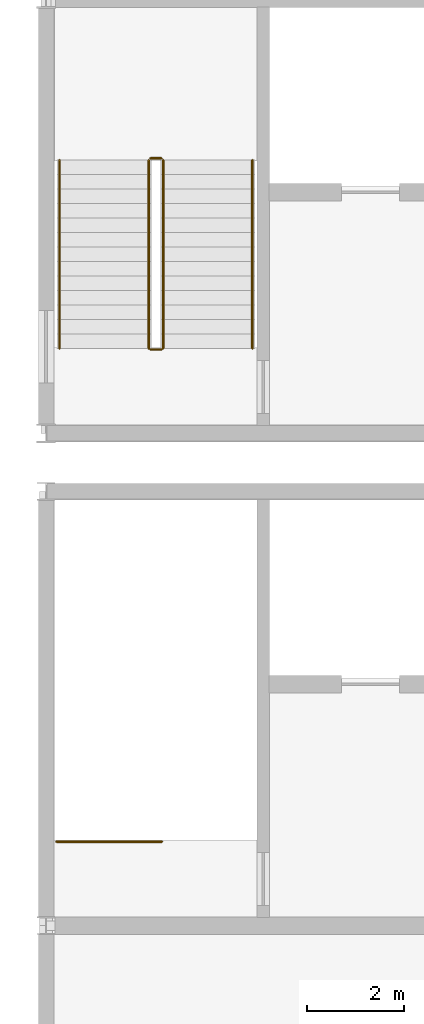
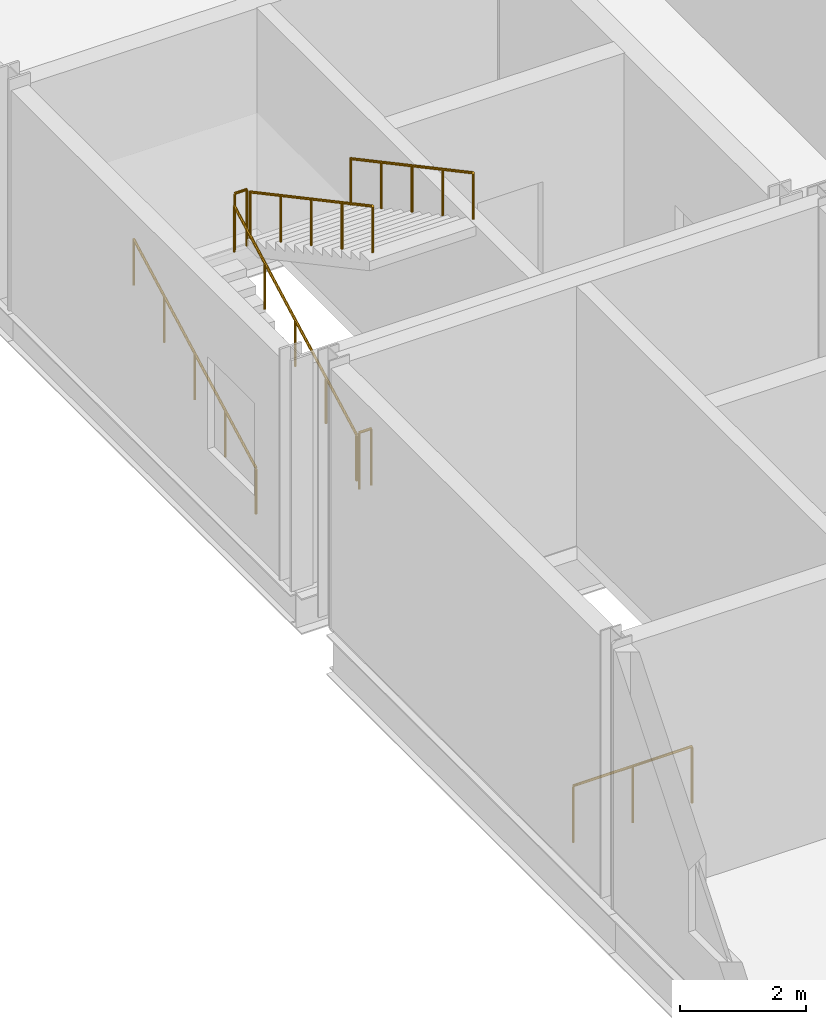
# One storey, part 127 of 134: 7 railings.
"""IFC4 building model written with IfcOpenShell, lengths in metres."""

from ifc_helpers import new_model, si_unit, direction, frame, origin, origin_2d, place, context, subcontext, project, spatial, circle, extrude, material, type_object, element, save


model = new_model("IFC4")

# Units and contexts
model_context = context("Model", 3, precision=1e-05, world=origin(), true_north=direction((0.0, 1.0)))
body_context = subcontext(model_context, "Body", "Model", "MODEL_VIEW")
ifc_project = project(units=[si_unit("LENGTHUNIT", "METRE"), si_unit("AREAUNIT", "SQUARE_METRE"), si_unit("VOLUMEUNIT", "CUBIC_METRE"), si_unit("PLANEANGLEUNIT", "RADIAN"), si_unit("MASSUNIT", "GRAM", prefix="KILO")], contexts=[model_context])

# Site, building, storey
site_placement = place(None, origin())
site = spatial("IfcSite", under=ifc_project, at=site_placement, CompositionType="ELEMENT")
building_placement = place(site_placement, origin())
building = spatial("IfcBuilding", under=site, at=building_placement, Name="Cazmaro Siding Exhibition Halls", CompositionType="ELEMENT")
storey_placement = place(building_placement, frame((0.0, 0.0, 12.0)))
storey = spatial("IfcBuildingStorey", under=building, at=storey_placement, Name="L02", CompositionType="ELEMENT", Elevation=12.0)

# Railings
ifc_material_1 = material(Name="Painted Steel Stairwell Guardrail", Category="steel")
railing_type_1 = type_object("IfcRailingType", Name="RL-GRD-01", PredefinedType="GUARDRAIL", material=ifc_material_1)
railing_1_placement = place(storey_placement, frame((0.215087890625, 46.139892578125, 0.0)))
element("IfcRailing", 1, at=railing_1_placement, inside=storey, type_object=railing_type_1, Name="Core C6 L02 Top Stairwell Guard RL-GRD-01 RL-SG024", PredefinedType="GUARDRAIL", context=body_context, shape_type="SweptSolid", body=[
    extrude(circle(Radius=0.02392578125, at=origin_2d()), frame((0.0, 0.0, 1.09619140625), z_axis=(1.0, 0.0, 0.0), x_axis=(0.0, 1.0, 0.0)), (0.0, 0.0, 1.0), 2.184814453125),
    extrude(circle(Radius=0.02099609375, at=origin_2d()), origin(), (0.0, 0.0, 1.0), 1.072021484375),
    extrude(circle(Radius=0.02099609375, at=origin_2d()), frame((1.09228515625, 0.0, 0.0)), (0.0, 0.0, 1.0), 1.072021484375),
    extrude(circle(Radius=0.02099609375, at=origin_2d()), frame((2.184814453125, 0.0, 0.0)), (0.0, 0.0, 1.0), 1.072021484375),
])
for number, where, name in (
    (2, (2.1650390625, 56.340087890625, 0.0), "Core C7 L02 Landing Slot Guard RL-GRD-01 RL-SG028"),
    (3, (2.1650390625, 60.300048828125, 2.25), "ST-15 Mid-Landing Slot Guard RL-GRD-01 RL-SG029"),
):
    element("IfcRailing", number, at=place(storey_placement, frame(where)), inside=storey, type_object=railing_type_1, Name=name, PredefinedType="GUARDRAIL", context=body_context, shape_type="SweptSolid", body=[
        extrude(circle(Radius=0.02392578125, at=origin_2d()), frame((0.0, 0.0, 1.09619140625), z_axis=(1.0, 0.0, 0.0), x_axis=(0.0, 1.0, 0.0)), (0.0, 0.0, 1.0), 0.224853515625),
        extrude(circle(Radius=0.02099609375, at=origin_2d()), origin(), (0.0, 0.0, 1.0), 1.072021484375),
        extrude(circle(Radius=0.02099609375, at=origin_2d()), frame((0.224853515625, 0.0, 0.0)), (0.0, 0.0, 1.0), 1.072021484375),
    ])
ifc_material_2 = material(Name="Brushed Stainless Steel Tubular Handrail", Category="steel")
railing_type_2 = type_object("IfcRailingType", Name="RL-HR-01", PredefinedType="HANDRAIL", material=ifc_material_2)
railing_2_placement = place(storey_placement, frame((0.280029296875, 56.360107421875, 0.160888671875)))
element("IfcRailing", 4, at=railing_2_placement, inside=storey, type_object=railing_type_2, Name="ST-15 Flight 1 Handrail 1", PredefinedType="HANDRAIL", context=body_context, shape_type="SweptSolid", body=[
    extrude(circle(Radius=0.02392578125, at=origin_2d()), frame((0.0, 0.0, 0.89599609375), z_axis=(0.0, 0.881491454809, 0.472199973632), x_axis=(-1.0, 0.0, 0.0)), (0.0, 0.0, 1.0), 4.42431640625),
    extrude(circle(Radius=0.02099609375, at=origin_2d()), origin(), (0.0, 0.0, 1.0), 0.871826171875),
    extrude(circle(Radius=0.02099609375, at=origin_2d()), frame((0.0, 0.97509765625, 0.522216796875)), (0.0, 0.0, 1.0), 0.871826171875),
    extrude(circle(Radius=0.02099609375, at=origin_2d()), frame((0.0, 1.949951171875, 1.04443359375)), (0.0, 0.0, 1.0), 0.871826171875),
    extrude(circle(Radius=0.02099609375, at=origin_2d()), frame((0.0, 2.9248046875, 1.56689453125)), (0.0, 0.0, 1.0), 0.871826171875),
    extrude(circle(Radius=0.02099609375, at=origin_2d()), frame((0.0, 3.89990234375, 2.089111328125)), (0.0, 0.0, 1.0), 0.871826171875),
])
railing_3_placement = place(storey_placement, frame((2.425048828125, 60.260009765625, 2.410888671875)))
element("IfcRailing", 5, at=railing_3_placement, inside=storey, type_object=railing_type_2, Name="ST-15 Flight 2 Handrail 1", PredefinedType="HANDRAIL", context=body_context, shape_type="SweptSolid", body=[
    extrude(circle(Radius=0.02392578125, at=origin_2d()), frame((0.0, 0.0, 0.89599609375), z_axis=(0.0, -0.881491454809, 0.472199973632), x_axis=(1.0, 0.0, 0.0)), (0.0, 0.0, 1.0), 4.42431640625),
    extrude(circle(Radius=0.02099609375, at=origin_2d()), origin(), (0.0, 0.0, 1.0), 0.871826171875),
    extrude(circle(Radius=0.02099609375, at=origin_2d()), frame((0.0, -0.97509765625, 0.522216796875)), (0.0, 0.0, 1.0), 0.871826171875),
    extrude(circle(Radius=0.02099609375, at=origin_2d()), frame((0.0, -1.949951171875, 1.04443359375)), (0.0, 0.0, 1.0), 0.871826171875),
    extrude(circle(Radius=0.02099609375, at=origin_2d()), frame((0.0, -2.9248046875, 1.56689453125)), (0.0, 0.0, 1.0), 0.871826171875),
    extrude(circle(Radius=0.02099609375, at=origin_2d()), frame((0.0, -3.89990234375, 2.089111328125)), (0.0, 0.0, 1.0), 0.871826171875),
])
railing_4_placement = place(storey_placement, frame((2.1298828125, 56.360107421875, 0.160888671875)))
element("IfcRailing", 6, at=railing_4_placement, inside=storey, type_object=railing_type_2, Name="ST-15 Flight 1 Handrail 2", PredefinedType="HANDRAIL", context=body_context, shape_type="SweptSolid", body=[
    extrude(circle(Radius=0.02392578125, at=origin_2d()), frame((0.0, 0.0, 0.89599609375), z_axis=(0.0, 0.881491454809, 0.472199973632), x_axis=(-1.0, 0.0, 0.0)), (0.0, 0.0, 1.0), 4.42431640625),
    extrude(circle(Radius=0.02099609375, at=origin_2d()), origin(), (0.0, 0.0, 1.0), 0.871826171875),
    extrude(circle(Radius=0.02099609375, at=origin_2d()), frame((0.0, 0.97509765625, 0.522216796875)), (0.0, 0.0, 1.0), 0.871826171875),
    extrude(circle(Radius=0.02099609375, at=origin_2d()), frame((0.0, 1.949951171875, 1.04443359375)), (0.0, 0.0, 1.0), 0.871826171875),
    extrude(circle(Radius=0.02099609375, at=origin_2d()), frame((0.0, 2.9248046875, 1.56689453125)), (0.0, 0.0, 1.0), 0.871826171875),
    extrude(circle(Radius=0.02099609375, at=origin_2d()), frame((0.0, 3.89990234375, 2.089111328125)), (0.0, 0.0, 1.0), 0.871826171875),
])
railing_5_placement = place(storey_placement, frame((4.27490234375, 60.260009765625, 2.410888671875)))
element("IfcRailing", 7, at=railing_5_placement, inside=storey, type_object=railing_type_2, Name="ST-15 Flight 2 Handrail 2", PredefinedType="HANDRAIL", context=body_context, shape_type="SweptSolid", body=[
    extrude(circle(Radius=0.02392578125, at=origin_2d()), frame((0.0, 0.0, 0.89599609375), z_axis=(0.0, -0.881491454809, 0.472199973632), x_axis=(1.0, 0.0, 0.0)), (0.0, 0.0, 1.0), 4.42431640625),
    extrude(circle(Radius=0.02099609375, at=origin_2d()), origin(), (0.0, 0.0, 1.0), 0.871826171875),
    extrude(circle(Radius=0.02099609375, at=origin_2d()), frame((0.0, -0.97509765625, 0.522216796875)), (0.0, 0.0, 1.0), 0.871826171875),
    extrude(circle(Radius=0.02099609375, at=origin_2d()), frame((0.0, -1.949951171875, 1.04443359375)), (0.0, 0.0, 1.0), 0.871826171875),
    extrude(circle(Radius=0.02099609375, at=origin_2d()), frame((0.0, -2.9248046875, 1.56689453125)), (0.0, 0.0, 1.0), 0.871826171875),
    extrude(circle(Radius=0.02099609375, at=origin_2d()), frame((0.0, -3.89990234375, 2.089111328125)), (0.0, 0.0, 1.0), 0.871826171875),
])

save(model, "model.ifc")
